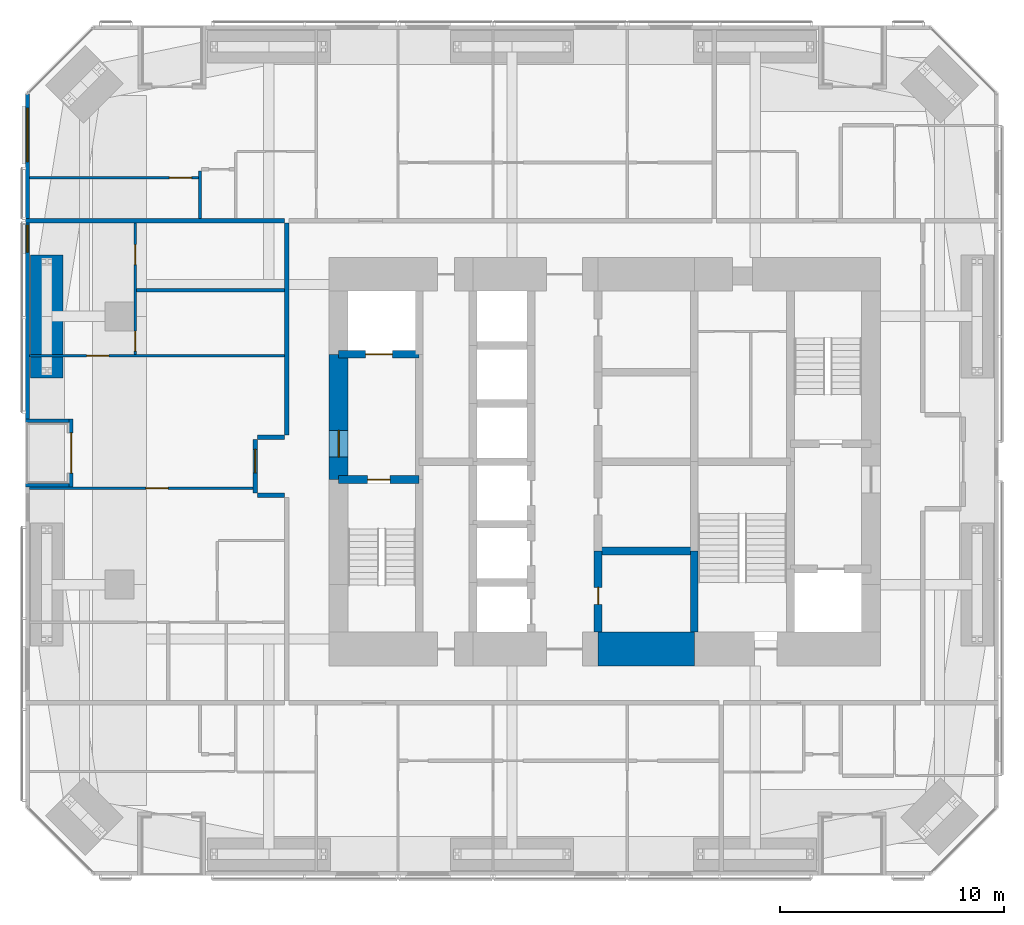
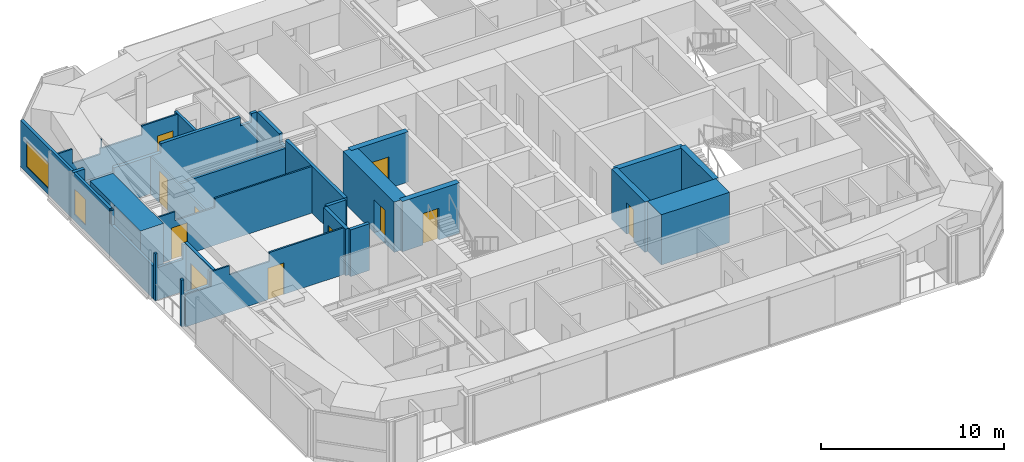
# One storey, part 18 of 23: 23 walls, 11 doors, 2 windows, 13 openings.
"""IFC4 building model written with IfcOpenShell, lengths in metres."""

from ifc_helpers import new_model, si_unit, direction, frame, frame_2d, origin, place, context, subcontext, project, spatial, polyline, rectangle, outline, extrude, material, layer, layer_set, constituent, constituent_set, type_object, element, fill, save


model = new_model("IFC4")

# Units and contexts
model_context = context("Model", 3, precision=1e-05, world=origin(), true_north=direction((0.0, 1.0)))
body_context = subcontext(model_context, "Body", "Model", "MODEL_VIEW")
ifc_project = project(units=[si_unit("LENGTHUNIT", "METRE"), si_unit("AREAUNIT", "SQUARE_METRE"), si_unit("VOLUMEUNIT", "CUBIC_METRE"), si_unit("PLANEANGLEUNIT", "RADIAN"), si_unit("MASSUNIT", "GRAM", prefix="KILO")], contexts=[model_context])

# Site, building, storey
site_placement = place(None, origin())
site = spatial("IfcSite", under=ifc_project, at=site_placement, CompositionType="ELEMENT")
building_placement = place(site_placement, origin())
building = spatial("IfcBuilding", under=site, at=building_placement, Name="Jalousie Tower", CompositionType="ELEMENT")
storey_placement = place(building_placement, frame((0.0, 0.0, 118.25)))
storey = spatial("IfcBuildingStorey", under=building, at=storey_placement, Name="L32", CompositionType="ELEMENT", Elevation=118.25)

# Walls
ifc_material_1 = material(Name="Concrete block ASTM C90", Category="concrete")
ifc_constituent_1 = constituent(ifc_material_1, Name="Body")
ifc_material_2 = material(Name="Render")
ifc_constituent_2 = constituent(ifc_material_2, Name="Finish")
ifc_constituent_set_1 = constituent_set(constituents=[ifc_constituent_1, ifc_constituent_2])
wall_type_1 = type_object("IfcWallType", Name="BATHROOM WALL 150", PredefinedType="PLUMBINGWALL", material=ifc_constituent_set_1)
wall_1_placement = place(storey_placement, frame((13.800048828125, 31.5, 0.0), z_axis=(0.0, 0.0, 1.0), x_axis=(0.0, -1.0, 0.0)))
element("IfcWall", 1, at=wall_1_placement, inside=storey, type_object=wall_type_1, Name="Bathroom Wall 150 L32", PredefinedType="PLUMBINGWALL", context=body_context, shape_type="SweptSolid", body=[
    extrude(rectangle(XDim=2.125, YDim=0.14990234375, at=frame_2d((1.0625, 0.0))), origin(), (0.0, 0.0, 1.0), 3.110107421875),
])
wall_2_placement = place(storey_placement, frame((10.949951171875, 26.166748046875, 0.0), z_axis=(0.0, 0.0, 1.0), x_axis=(1.0, 0.0, 0.0)))
element("IfcWall", 2, at=wall_2_placement, inside=storey, type_object=wall_type_1, Name="Bathroom Wall 150 L32", PredefinedType="PLUMBINGWALL", context=body_context, shape_type="SweptSolid", body=[
    extrude(outline(polyline([(0.0, 0.0), (6.625, 0.0), (6.625, 3.110107421875), (6.625, 2.541015625), (0.534912109375, 2.541015625), (0.534912109375, 2.510009765625), (0.0, 2.510009765625), (0.0, 3.110107421875), (0.0, 0.0)])), frame((0.0, 0.074951171875, 0.0), z_axis=(0.0, -1.0, 0.0), x_axis=(1.0, 0.0, 0.0)), (0.0, 0.0, 1.0), 0.14990234375),
])
ifc_material_3 = material(Name="Concrete f'c 120 MPa", Category="concrete")
ifc_layer_1 = layer(ifc_material_3, 1.5)
ifc_layer_set_1 = layer_set([ifc_layer_1], Name="Concrete f'c 120 MPa")
wall_type_2 = type_object("IfcWallType", Name="CORE WALL 1500", PredefinedType="SHEAR", material=ifc_layer_set_1)
wall_3_placement = place(storey_placement, frame((31.60009765625, 10.125, 0.0), z_axis=(0.0, 0.0, 1.0), x_axis=(1.0, 0.0, 0.0)))
element("IfcWall", 3, at=wall_3_placement, inside=storey, type_object=wall_type_2, Name="Core wall SC L32", PredefinedType="SHEAR", context=body_context, shape_type="SweptSolid", body=[
    extrude(rectangle(XDim=4.2998046875, YDim=1.5, at=frame_2d((2.14990234375, 0.0))), origin(), (0.0, 0.0, 1.0), 3.35009765625),
])

# Wall, opening, door
ifc_material_4 = material(Name="Concrete f'c 120 MPa", Category="concrete")
ifc_layer_2 = layer(ifc_material_4, 0.35009765625)
ifc_layer_set_2 = layer_set([ifc_layer_2], Name="Concrete f'c 120 MPa")
wall_type_3 = type_object("IfcWallType", Name="CORE WALL 350", PredefinedType="SHEAR", material=ifc_layer_set_2)
wall_4_placement = place(storey_placement, frame((31.60009765625, 10.875, 0.0), z_axis=(0.0, 0.0, 1.0), x_axis=(0.0, 1.0, 0.0)))
wall_4 = element("IfcWall", 4, at=wall_4_placement, inside=storey, type_object=wall_type_3, Name="Core wall X31.6A L32", PredefinedType="SHEAR", context=body_context, shape_type="SweptSolid", body=[
    extrude(rectangle(XDim=3.625, YDim=0.35009765625, at=frame_2d((1.8125, 0.0))), origin(), (0.0, 0.0, 1.0), 3.35009765625),
])
opening_1_placement = place(wall_4_placement, frame((1.25, 0.0, 0.0)))
opening_1 = element("IfcOpeningElement", 5, at=opening_1_placement, cuts=wall_4, Name="Opening D16", PredefinedType="OPENING", context=body_context, shape_type="SweptSolid", body=[
    extrude(rectangle(XDim=0.75, YDim=2.10009765625, at=frame_2d((0.375, 1.050048828125))), frame((0.0, 0.18505859375, 0.0), z_axis=(0.0, -1.0, 0.0), x_axis=(1.0, 0.0, 0.0)), (0.0, 0.0, 1.0), 0.3701171875),
])
ifc_material_5 = material(Name="Steel fire door", Category="steel")
door_type_1 = type_object("IfcDoorType", Name="RISER DOOR 750", OperationType="SINGLE_SWING_LEFT", PredefinedType="DOOR", material=ifc_material_5)
door_1_placement = place(opening_1_placement, frame((0.75, 0.0, 0.0), z_axis=(0.0, 0.0, 1.0), x_axis=(-1.0, 0.0, 0.0)))
door_1 = element("IfcDoor", 6, at=door_1_placement, inside=storey, type_object=door_type_1, Name="Refuse Room door", OperationType="SINGLE_SWING_RIGHT", OverallHeight=2.10009765625, OverallWidth=0.75, PredefinedType="DOOR", context=body_context, shape_type="SweptSolid", body=[
    extrude(rectangle(XDim=0.75, YDim=2.10009765625, at=frame_2d((0.375, 1.050048828125))), frame((0.0, 0.02490234375, 0.0), z_axis=(0.0, -1.0, 0.0), x_axis=(1.0, 0.0, 0.0)), (0.0, 0.0, 1.0), 0.050048828125),
])
fill(opening_1, door_1)

# Wall
wall_5_placement = place(storey_placement, frame((35.89990234375, 10.875, 0.0), z_axis=(0.0, 0.0, 1.0), x_axis=(0.0, 1.0, 0.0)))
element("IfcWall", 7, at=wall_5_placement, inside=storey, type_object=wall_type_3, Name="Core wall X35.9A L32", PredefinedType="SHEAR", context=body_context, shape_type="SweptSolid", body=[
    extrude(rectangle(XDim=3.625, YDim=0.35009765625, at=frame_2d((1.8125, 0.0))), origin(), (0.0, 0.0, 1.0), 3.35009765625),
])

# Wall, opening, door
wall_6_placement = place(storey_placement, frame((20.0, 17.699951171875, 0.0), z_axis=(0.0, 0.0, 1.0), x_axis=(1.0, 0.0, 0.0)))
wall_6 = element("IfcWall", 8, at=wall_6_placement, inside=storey, type_object=wall_type_3, Name="Core wall Y20-17.7 L32", PredefinedType="SHEAR", context=body_context, shape_type="SweptSolid", body=[
    extrude(rectangle(XDim=3.60009765625, YDim=0.35009765625, at=frame_2d((1.800048828125, 0.0))), origin(), (0.0, 0.0, 1.0), 3.35009765625),
])
opening_2_placement = place(wall_6_placement, frame((1.300048828125, 0.0, 0.0)))
opening_2 = element("IfcOpeningElement", 9, at=opening_2_placement, cuts=wall_6, Name="Opening D10", PredefinedType="OPENING", context=body_context, shape_type="SweptSolid", body=[
    extrude(rectangle(XDim=1.0, YDim=2.10009765625, at=frame_2d((0.5, 1.050048828125))), frame((0.0, 0.18505859375, 0.0), z_axis=(0.0, -1.0, 0.0), x_axis=(1.0, 0.0, 0.0)), (0.0, 0.0, 1.0), 0.3701171875),
])
ifc_material_6 = material(Name="Steel fire door", Category="steel")
door_type_2 = type_object("IfcDoorType", Name="STAIR DOOR 1000", OperationType="SINGLE_SWING_LEFT", PredefinedType="DOOR", material=ifc_material_6)
door_2_placement = place(opening_2_placement, frame((1.0, 0.0, 0.0), z_axis=(0.0, 0.0, 1.0), x_axis=(-1.0, 0.0, 0.0)))
door_2 = element("IfcDoor", 10, at=door_2_placement, inside=storey, type_object=door_type_2, Name="Exit stair A door", OperationType="SINGLE_SWING_RIGHT", OverallHeight=2.10009765625, OverallWidth=1.0, PredefinedType="DOOR", context=body_context, shape_type="SweptSolid", body=[
    extrude(rectangle(XDim=1.0, YDim=2.10009765625, at=frame_2d((0.5, 1.050048828125))), frame((0.0, 0.02490234375, 0.0), z_axis=(0.0, -1.0, 0.0), x_axis=(1.0, 0.0, 0.0)), (0.0, 0.0, 1.0), 0.050048828125),
])
fill(opening_2, door_2)

wall_7_placement = place(storey_placement, frame((20.0, 23.300048828125, 0.0), z_axis=(0.0, 0.0, 1.0), x_axis=(1.0, 0.0, 0.0)))
wall_7 = element("IfcWall", 11, at=wall_7_placement, inside=storey, type_object=wall_type_3, Name="Core wall Y20-23.3 L32", PredefinedType="SHEAR", context=body_context, shape_type="SweptSolid", body=[
    extrude(rectangle(XDim=3.60009765625, YDim=0.35009765625, at=frame_2d((1.800048828125, 0.0))), origin(), (0.0, 0.0, 1.0), 3.35009765625),
])
opening_3_placement = place(wall_7_placement, frame((1.199951171875, 0.0, 0.0)))
opening_3 = element("IfcOpeningElement", 12, at=opening_3_placement, cuts=wall_7, Name="Opening LD2", PredefinedType="OPENING", context=body_context, shape_type="SweptSolid", body=[
    extrude(rectangle(XDim=1.199951171875, YDim=2.10009765625, at=frame_2d((0.60009765625, 1.050048828125))), frame((0.0, 0.18505859375, 0.0), z_axis=(0.0, -1.0, 0.0), x_axis=(1.0, 0.0, 0.0)), (0.0, 0.0, 1.0), 0.3701171875),
])
ifc_material_7 = material(Name="Steel lift landing door", Category="steel")
door_type_3 = type_object("IfcDoorType", Name="LIFT LANDING DOOR 1200", OperationType="SLIDING_TO_LEFT", PredefinedType="DOOR", material=ifc_material_7)
door_3_placement = place(opening_3_placement, origin())
door_3 = element("IfcDoor", 13, at=door_3_placement, inside=storey, type_object=door_type_3, Name="Lift F1 landing door", OperationType="SLIDING_TO_LEFT", OverallHeight=2.10009765625, OverallWidth=1.199951171875, PredefinedType="DOOR", context=body_context, shape_type="SweptSolid", body=[
    extrude(rectangle(XDim=1.199951171875, YDim=2.10009765625, at=frame_2d((0.60009765625, 1.050048828125))), frame((0.0, 0.02490234375, 0.0), z_axis=(0.0, -1.0, 0.0), x_axis=(1.0, 0.0, 0.0)), (0.0, 0.0, 1.0), 0.050048828125),
])
fill(opening_3, door_3)

# Wall
wall_8_placement = place(storey_placement, frame((31.60009765625, 14.5, 0.0), z_axis=(0.0, 0.0, 1.0), x_axis=(1.0, 0.0, 0.0)))
element("IfcWall", 14, at=wall_8_placement, inside=storey, type_object=wall_type_3, Name="Core wall Y31.6-14.5 L32", PredefinedType="SHEAR", context=body_context, shape_type="SweptSolid", body=[
    extrude(rectangle(XDim=4.2998046875, YDim=0.35009765625, at=frame_2d((2.14990234375, 0.0))), origin(), (0.0, 0.0, 1.0), 3.35009765625),
])

# Wall, opening, door
ifc_material_8 = material(Name="Concrete f'c 120 MPa", Category="concrete")
ifc_layer_3 = layer(ifc_material_8, 0.85009765625)
ifc_layer_set_3 = layer_set([ifc_layer_3], Name="Concrete f'c 120 MPa")
wall_type_4 = type_object("IfcWallType", Name="CORE WALL 850", PredefinedType="SHEAR", material=ifc_layer_set_3)
wall_9_placement = place(storey_placement, frame((20.0, 23.300048828125, 0.0), z_axis=(0.0, 0.0, 1.0), x_axis=(0.0, -1.0, 0.0)))
wall_9 = element("IfcWall", 15, at=wall_9_placement, inside=storey, type_object=wall_type_4, Name="Core wall WB L32", PredefinedType="SHEAR", context=body_context, shape_type="SweptSolid", body=[
    extrude(rectangle(XDim=5.60009765625, YDim=0.85009765625, at=frame_2d((2.800048828125, 0.0))), origin(), (0.0, 0.0, 1.0), 3.35009765625),
])
opening_4_placement = place(wall_9_placement, frame((3.39990234375, 0.0, 0.0)))
opening_4 = element("IfcOpeningElement", 16, at=opening_4_placement, cuts=wall_9, Name="Opening D11", PredefinedType="OPENING", context=body_context, shape_type="SweptSolid", body=[
    extrude(rectangle(XDim=1.199951171875, YDim=2.199951171875, at=frame_2d((0.60009765625, 1.10009765625))), frame((0.0, 0.43505859375, 0.0), z_axis=(0.0, -1.0, 0.0), x_axis=(1.0, 0.0, 0.0)), (0.0, 0.0, 1.0), 0.8701171875),
])
ifc_material_9 = material(Name="Steel fire door", Category="steel")
door_type_4 = type_object("IfcDoorType", Name="FIRE DOOR 1200", OperationType="SINGLE_SWING_LEFT", PredefinedType="DOOR", material=ifc_material_9)
door_4_placement = place(opening_4_placement, origin())
door_4 = element("IfcDoor", 17, at=door_4_placement, inside=storey, type_object=door_type_4, Name="Fire-fighting lobby A door", OperationType="SINGLE_SWING_RIGHT", OverallHeight=2.199951171875, OverallWidth=1.199951171875, PredefinedType="DOOR", context=body_context, shape_type="SweptSolid", body=[
    extrude(rectangle(XDim=1.199951171875, YDim=2.199951171875, at=frame_2d((0.60009765625, 1.10009765625))), frame((0.0, 0.02490234375, 0.0), z_axis=(0.0, -1.0, 0.0), x_axis=(1.0, 0.0, 0.0)), (0.0, 0.0, 1.0), 0.050048828125),
])
fill(opening_4, door_4)

# Wall
ifc_material_10 = material(Name="Concrete block ASTM C90", Category="concrete")
ifc_constituent_3 = constituent(ifc_material_10, Name="Body")
ifc_material_11 = material(Name="Render")
ifc_constituent_4 = constituent(ifc_material_11, Name="Finish")
ifc_constituent_set_2 = constituent_set(constituents=[ifc_constituent_3, ifc_constituent_4])
wall_type_5 = type_object("IfcWallType", Name="CORRIDOR WALL 200", PredefinedType="PARTITIONING", material=ifc_constituent_set_2)
wall_10_placement = place(storey_placement, frame((17.675048828125, 19.699951171875, 0.0), z_axis=(0.0, 0.0, 1.0), x_axis=(0.0, 1.0, 0.0)))
element("IfcWall", 18, at=wall_10_placement, inside=storey, type_object=wall_type_5, Name="Corridor Wall 200 L32", PredefinedType="PARTITIONING", context=body_context, shape_type="SweptSolid", body=[
    extrude(outline(polyline([(0.0, 0.0), (9.47509765625, 0.0), (9.47509765625, 3.110107421875), (7.062255859375, 3.110107421875), (7.062255859375, 2.541015625), (6.3876953125, 2.541015625), (6.3876953125, 3.110107421875), (0.0, 3.110107421875), (0.0, 0.0)])), frame((0.0, 0.10009765625, 0.0), z_axis=(0.0, -1.0, 0.0), x_axis=(1.0, 0.0, 0.0)), (0.0, 0.0, 1.0), 0.199951171875),
])

# Wall, opening, door
wall_11_placement = place(storey_placement, frame((16.27490234375, 17.10009765625, 0.0), z_axis=(0.0, 0.0, 1.0), x_axis=(0.0, 1.0, 0.0)))
wall_11 = element("IfcWall", 19, at=wall_11_placement, inside=storey, type_object=wall_type_5, Name="Corridor Wall 200 L32", PredefinedType="PARTITIONING", context=body_context, shape_type="SweptSolid", body=[
    extrude(rectangle(XDim=2.39990234375, YDim=0.199951171875, at=frame_2d((1.199951171875, 0.0))), origin(), (0.0, 0.0, 1.0), 3.110107421875),
])
opening_5_placement = place(wall_11_placement, frame((0.89990234375, 0.0, 0.0)))
opening_5 = element("IfcOpeningElement", 20, at=opening_5_placement, cuts=wall_11, Name="Opening D1", PredefinedType="OPENING", context=body_context, shape_type="SweptSolid", body=[
    extrude(rectangle(XDim=1.050048828125, YDim=2.199951171875, at=frame_2d((0.52490234375, 1.10009765625))), frame((0.0, 0.10986328125, 0.0), z_axis=(0.0, -1.0, 0.0), x_axis=(1.0, 0.0, 0.0)), (0.0, 0.0, 1.0), 0.219970703125),
])
ifc_material_12 = material(Name="Timber fire door", Category="wood")
door_type_5 = type_object("IfcDoorType", Name="APARTMENT ENTRANCE DOOR 1050", OperationType="SINGLE_SWING_LEFT", PredefinedType="DOOR", material=ifc_material_12)
door_5_placement = place(opening_5_placement, origin())
door_5 = element("IfcDoor", 21, at=door_5_placement, inside=storey, type_object=door_type_5, Name="Apartment 3205 entrance", OperationType="SINGLE_SWING_LEFT", OverallHeight=2.199951171875, OverallWidth=1.050048828125, PredefinedType="DOOR", context=body_context, shape_type="SweptSolid", body=[
    extrude(rectangle(XDim=1.050048828125, YDim=2.199951171875, at=frame_2d((0.52490234375, 1.10009765625))), frame((0.0, 0.02490234375, 0.0), z_axis=(0.0, -1.0, 0.0), x_axis=(1.0, 0.0, 0.0)), (0.0, 0.0, 1.0), 0.050048828125),
])
fill(opening_5, door_5)

# Walls
for number, where, z_axis, x_axis, name in (
    (22, (17.574951171875, 17.0, 0.0), (0.0, 0.0, 1.0), (-1.0, 0.0, 0.0), "Corridor Wall 200 L32"),
    (23, (17.574951171875, 19.60009765625, 0.0), (0.0, 0.0, 1.0), (-1.0, 0.0, 0.0), "Corridor Wall 200 L32"),
):
    element("IfcWall", number, at=place(storey_placement, frame(where, z_axis=z_axis, x_axis=x_axis)), inside=storey, type_object=wall_type_5, Name=name, PredefinedType="PARTITIONING", context=body_context, shape_type="SweptSolid", body=[
        extrude(rectangle(XDim=1.199951171875, YDim=0.199951171875, at=frame_2d((0.60009765625, 0.0))), origin(), (0.0, 0.0, 1.0), 3.110107421875),
    ])

# Wall, openings, windows
ifc_material_13 = material(Name="Concrete f'c 40 MPa", Category="concrete")
ifc_constituent_5 = constituent(ifc_material_13, Name="Body")
ifc_material_14 = material(Name="Render, pastel sea green")
ifc_constituent_6 = constituent(ifc_material_14, Name="Finish")
ifc_constituent_set_3 = constituent_set(constituents=[ifc_constituent_5, ifc_constituent_6])
wall_type_6 = type_object("IfcWallType", Name="EXTERNAL WALL 175 SEA GREEN RENDER", PredefinedType="SOLIDWALL", material=ifc_constituent_set_3)
wall_12_placement = place(storey_placement, frame((6.08740234375, 34.94873046875, 0.0), z_axis=(0.0, 0.0, 1.0), x_axis=(0.0, -1.0, 0.0)))
wall_12 = element("IfcWall", 24, at=wall_12_placement, inside=storey, type_object=wall_type_6, Name="External Wall 175 Sea Green Render L32", PredefinedType="SOLIDWALL", context=body_context, shape_type="SweptSolid", body=[
    extrude(outline(polyline([(0.0, 0.0), (14.531982421875, 0.0), (14.531982421875, 2.14990234375), (9.94873046875, 2.14990234375), (9.94873046875, 3.110107421875), (9.822998046875, 3.110107421875), (9.822998046875, 2.14990234375), (9.72998046875, 2.14990234375), (9.72998046875, 3.110107421875), (0.0, 3.110107421875), (0.0, 0.0)])), frame((0.0, 0.08740234375, 0.0), z_axis=(0.0, -1.0, 0.0), x_axis=(1.0, 0.0, 0.0)), (0.0, 0.0, 1.0), 0.175048828125),
])
opening_6_placement = place(wall_12_placement, frame((0.636474609375, 0.0, 0.39990234375)))
opening_6 = element("IfcOpeningElement", 25, at=opening_6_placement, cuts=wall_12, Name="Opening W-LIV170", PredefinedType="OPENING", context=body_context, shape_type="SweptSolid", body=[
    extrude(rectangle(XDim=2.39990234375, YDim=1.699951171875, at=frame_2d((1.199951171875, 0.85009765625))), frame((0.0, 0.097412109375, 0.0), z_axis=(0.0, -1.0, 0.0), x_axis=(1.0, 0.0, 0.0)), (0.0, 0.0, 1.0), 0.195068359375),
])
opening_7_placement = place(wall_12_placement, frame((5.873779296875, 0.0, 0.39990234375)))
opening_7 = element("IfcOpeningElement", 26, at=opening_7_placement, cuts=wall_12, Name="Opening W-COR170", PredefinedType="OPENING", context=body_context, shape_type="SweptSolid", body=[
    extrude(rectangle(XDim=1.199951171875, YDim=1.699951171875, at=frame_2d((0.60009765625, 0.85009765625))), frame((0.0, 0.097412109375, 0.0), z_axis=(0.0, -1.0, 0.0), x_axis=(1.0, 0.0, 0.0)), (0.0, 0.0, 1.0), 0.195068359375),
])
ifc_material_15 = material(Name="Aluminium frame, impact-rated glazing", Category="aluminium")
window_type_1 = type_object("IfcWindowType", Name="WINDOW COR 1200x1700", PartitioningType="SINGLE_PANEL", PredefinedType="WINDOW", material=ifc_material_15)
window_1_placement = place(opening_7_placement, origin())
window_1 = element("IfcWindow", 27, at=window_1_placement, inside=storey, type_object=window_type_1, Name="Apartment 3205 bedroom 2 window", OverallHeight=1.699951171875, OverallWidth=1.199951171875, PartitioningType="SINGLE_PANEL", PredefinedType="WINDOW", context=body_context, shape_type="SweptSolid", body=[
    extrude(rectangle(XDim=1.199951171875, YDim=1.699951171875, at=frame_2d((0.60009765625, 0.85009765625))), frame((0.0, 0.030029296875, 0.0), z_axis=(0.0, -1.0, 0.0), x_axis=(1.0, 0.0, 0.0)), (0.0, 0.0, 1.0), 0.06005859375),
])
fill(opening_7, window_1)
ifc_material_16 = material(Name="Aluminium frame, impact-rated glazing", Category="aluminium")
window_type_2 = type_object("IfcWindowType", Name="WINDOW LIV 2400x1700", PartitioningType="DOUBLE_PANEL_VERTICAL", PredefinedType="WINDOW", material=ifc_material_16)
window_2_placement = place(opening_6_placement, origin())
window_2 = element("IfcWindow", 28, at=window_2_placement, inside=storey, type_object=window_type_2, Name="Apartment 3203 living and dining room window", OverallHeight=1.699951171875, OverallWidth=2.39990234375, PartitioningType="SINGLE_PANEL", PredefinedType="WINDOW", context=body_context, shape_type="SweptSolid", body=[
    extrude(rectangle(XDim=2.39990234375, YDim=1.699951171875, at=frame_2d((1.199951171875, 0.85009765625))), frame((0.0, 0.030029296875, 0.0), z_axis=(0.0, -1.0, 0.0), x_axis=(1.0, 0.0, 0.0)), (0.0, 0.0, 1.0), 0.06005859375),
])
fill(opening_6, window_2)

# Wall, opening, door
wall_13_placement = place(storey_placement, frame((8.03759765625, 20.416748046875, 0.0), z_axis=(0.0, 0.0, 1.0), x_axis=(0.0, -1.0, 0.0)))
wall_13 = element("IfcWall", 29, at=wall_13_placement, inside=storey, type_object=wall_type_6, Name="External Wall 175 Sea Green Render L32", PredefinedType="SOLIDWALL", context=body_context, shape_type="SweptSolid", body=[
    extrude(rectangle(XDim=3.058349609375, YDim=0.175048828125, at=frame_2d((1.529296875, 0.0))), origin(), (0.0, 0.0, 1.0), 3.110107421875),
])
opening_8_placement = place(wall_13_placement, frame((0.629150390625, 0.0, 0.0)))
opening_8 = element("IfcOpeningElement", 30, at=opening_8_placement, cuts=wall_13, Name="Opening D-BAL21", PredefinedType="OPENING", context=body_context, shape_type="SweptSolid", body=[
    extrude(rectangle(XDim=1.800048828125, YDim=2.10009765625, at=frame_2d((0.89990234375, 1.050048828125))), frame((0.0, 0.097412109375, 0.0), z_axis=(0.0, -1.0, 0.0), x_axis=(1.0, 0.0, 0.0)), (0.0, 0.0, 1.0), 0.195068359375),
])
ifc_material_17 = material(Name="Aluminium frame, impact-rated glazing", Category="aluminium")
door_type_6 = type_object("IfcDoorType", Name="BALCONY DOOR 1800x2100", OperationType="SLIDING_TO_LEFT", PredefinedType="DOOR", material=ifc_material_17)
door_6_placement = place(opening_8_placement, origin())
door_6 = element("IfcDoor", 31, at=door_6_placement, inside=storey, type_object=door_type_6, Name="Apartment 3205 living room loggia door", OperationType="SLIDING_TO_LEFT", OverallHeight=2.10009765625, OverallWidth=1.800048828125, PredefinedType="DOOR", context=body_context, shape_type="SweptSolid", body=[
    extrude(rectangle(XDim=1.800048828125, YDim=2.10009765625, at=frame_2d((0.89990234375, 1.050048828125))), frame((0.0, 0.02490234375, 0.0), z_axis=(0.0, -1.0, 0.0), x_axis=(1.0, 0.0, 0.0)), (0.0, 0.0, 1.0), 0.050048828125),
])
fill(opening_8, door_6)

# Walls
for number, where, z_axis, x_axis, name in (
    (32, (6.0, 20.3291015625, 0.0), (0.0, 0.0, 1.0), (1.0, 0.0, 0.0), "External Wall 175 Sea Green Render L32"),
    (33, (6.0, 17.44580078125, 0.0), (0.0, 0.0, 1.0), (1.0, 0.0, 0.0), "External Wall 175 Sea Green Render L32"),
):
    element("IfcWall", number, at=place(storey_placement, frame(where, z_axis=z_axis, x_axis=x_axis)), inside=storey, type_object=wall_type_6, Name=name, PredefinedType="SOLIDWALL", context=body_context, shape_type="SweptSolid", body=[
        extrude(outline(polyline([(0.0, 0.0), (1.949951171875, 0.0), (1.949951171875, 3.110107421875), (1.75, 3.110107421875), (1.75, 2.14990234375), (0.14990234375, 2.14990234375), (0.14990234375, 3.110107421875), (0.0, 3.110107421875), (0.0, 0.0)])), frame((0.0, 0.08740234375, 0.0), z_axis=(0.0, -1.0, 0.0), x_axis=(1.0, 0.0, 0.0)), (0.0, 0.0, 1.0), 0.175048828125),
    ])

# Wall, opening, door
ifc_material_18 = material(Name="Gypsum board", Category="gypsum")
ifc_constituent_7 = constituent(ifc_material_18, Name="Body")
ifc_material_19 = material(Name="Light-gauge steel studs ASTM A653 SS Grade 33", Category="steel")
ifc_constituent_8 = constituent(ifc_material_19, Name="Framing")
ifc_constituent_set_4 = constituent_set(constituents=[ifc_constituent_7, ifc_constituent_8])
wall_type_7 = type_object("IfcWallType", Name="PARTITION 100", PredefinedType="PARTITIONING", material=ifc_constituent_set_4)
wall_14_placement = place(storey_placement, frame((6.175048828125, 31.199951171875, 0.0), z_axis=(0.0, 0.0, 1.0), x_axis=(1.0, 0.0, 0.0)))
wall_14 = element("IfcWall", 34, at=wall_14_placement, inside=storey, type_object=wall_type_7, Name="Partition 100 L32", PredefinedType="PARTITIONING", context=body_context, shape_type="SweptSolid", body=[
    extrude(outline(polyline([(0.0, 0.0), (7.550048828125, 0.0), (7.550048828125, 3.110107421875), (5.284912109375, 3.110107421875), (5.284912109375, 2.510009765625), (2.764892578125, 2.510009765625), (2.764892578125, 3.110107421875), (2.74365234375, 3.110107421875), (2.74365234375, 2.541015625), (2.651611328125, 2.541015625), (2.651611328125, 2.14990234375), (0.9091796875, 2.14990234375), (0.9091796875, 3.110107421875), (0.0, 3.110107421875), (0.0, 0.0)])), frame((0.0, 0.050048828125, 0.0), z_axis=(0.0, -1.0, 0.0), x_axis=(1.0, 0.0, 0.0)), (0.0, 0.0, 1.0), 0.10009765625),
])
opening_9_placement = place(wall_14_placement, frame((6.25, 0.0, 0.0)))
opening_9 = element("IfcOpeningElement", 35, at=opening_9_placement, cuts=wall_14, Name="Opening D6", PredefinedType="OPENING", context=body_context, shape_type="SweptSolid", body=[
    extrude(rectangle(XDim=1.0, YDim=2.10009765625, at=frame_2d((0.5, 1.050048828125))), frame((0.0, 0.06005859375, 0.0), z_axis=(0.0, -1.0, 0.0), x_axis=(1.0, 0.0, 0.0)), (0.0, 0.0, 1.0), 0.1201171875),
])
ifc_material_20 = material(Name="Timber door", Category="wood")
door_type_7 = type_object("IfcDoorType", Name="INTERNAL DOOR 1000", OperationType="SINGLE_SWING_LEFT", PredefinedType="DOOR", material=ifc_material_20)
door_7_placement = place(opening_9_placement, origin())
door_7 = element("IfcDoor", 36, at=door_7_placement, inside=storey, type_object=door_type_7, Name="Apartment 3203 hall door", OperationType="SINGLE_SWING_RIGHT", OverallHeight=2.10009765625, OverallWidth=1.0, PredefinedType="DOOR", context=body_context, shape_type="SweptSolid", body=[
    extrude(rectangle(XDim=1.0, YDim=2.10009765625, at=frame_2d((0.5, 1.050048828125))), frame((0.0, 0.02490234375, 0.0), z_axis=(0.0, -1.0, 0.0), x_axis=(1.0, 0.0, 0.0)), (0.0, 0.0, 1.0), 0.050048828125),
])
fill(opening_9, door_7)

wall_15_placement = place(storey_placement, frame((6.175048828125, 17.308349609375, 0.0), z_axis=(0.0, 0.0, 1.0), x_axis=(1.0, 0.0, 0.0)))
wall_15 = element("IfcWall", 37, at=wall_15_placement, inside=storey, type_object=wall_type_7, Name="Partition 100 L32", PredefinedType="PARTITIONING", context=body_context, shape_type="SweptSolid", body=[
    extrude(outline(polyline([(0.0, 0.0), (10.0, 0.0), (10.0, 3.110107421875), (5.284912109375, 3.110107421875), (5.284912109375, 2.510009765625), (2.764892578125, 2.510009765625), (2.764892578125, 3.110107421875), (1.635009765625, 3.110107421875), (1.635009765625, 2.14990234375), (0.0, 2.14990234375), (0.0, 3.110107421875), (0.0, 0.0)])), frame((0.0, 0.050048828125, 0.0), z_axis=(0.0, -1.0, 0.0), x_axis=(1.0, 0.0, 0.0)), (0.0, 0.0, 1.0), 0.10009765625),
])
opening_10_placement = place(wall_15_placement, frame((5.199951171875, 0.0, 0.0)))
opening_10 = element("IfcOpeningElement", 38, at=opening_10_placement, cuts=wall_15, Name="Opening D6", PredefinedType="OPENING", context=body_context, shape_type="SweptSolid", body=[
    extrude(rectangle(XDim=1.0, YDim=2.10009765625, at=frame_2d((0.5, 1.050048828125))), frame((0.0, 0.06005859375, 0.0), z_axis=(0.0, -1.0, 0.0), x_axis=(1.0, 0.0, 0.0)), (0.0, 0.0, 1.0), 0.1201171875),
])
door_8_placement = place(opening_10_placement, frame((1.0, 0.0, 0.0), z_axis=(0.0, 0.0, 1.0), x_axis=(-1.0, 0.0, 0.0)))
door_8 = element("IfcDoor", 39, at=door_8_placement, inside=storey, type_object=door_type_7, Name="Apartment 3205 dining room door", OperationType="SINGLE_SWING_LEFT", OverallHeight=2.10009765625, OverallWidth=1.0, PredefinedType="DOOR", context=body_context, shape_type="SweptSolid", body=[
    extrude(rectangle(XDim=1.0, YDim=2.10009765625, at=frame_2d((0.5, 1.050048828125))), frame((0.0, 0.02490234375, 0.0), z_axis=(0.0, -1.0, 0.0), x_axis=(1.0, 0.0, 0.0)), (0.0, 0.0, 1.0), 0.050048828125),
])
fill(opening_10, door_8)

wall_16_placement = place(storey_placement, frame((6.175048828125, 23.24169921875, 0.0), z_axis=(0.0, 0.0, 1.0), x_axis=(1.0, 0.0, 0.0)))
wall_16 = element("IfcWall", 40, at=wall_16_placement, inside=storey, type_object=wall_type_7, Name="Partition 100 L32", PredefinedType="PARTITIONING", context=body_context, shape_type="SweptSolid", body=[
    extrude(outline(polyline([(0.52880859375, 2.14990234375), (0.0, 2.14990234375), (0.0, 0.0), (0.52880859375, 0.0), (0.52880859375, 0.267822265625), (1.021240234375, 0.267822265625), (1.021240234375, 0.0), (11.39990234375, 0.0), (11.39990234375, 3.110107421875), (5.284912109375, 3.110107421875), (5.284912109375, 2.510009765625), (2.764892578125, 2.510009765625), (2.764892578125, 3.110107421875), (1.635009765625, 3.110107421875), (1.635009765625, 2.14990234375), (1.021240234375, 2.14990234375), (1.021240234375, 1.882080078125), (0.52880859375, 1.882080078125), (0.52880859375, 2.14990234375)])), frame((0.0, 0.050048828125, 0.0), z_axis=(0.0, -1.0, 0.0), x_axis=(1.0, 0.0, 0.0)), (0.0, 0.0, 1.0), 0.10009765625),
])
opening_11_placement = place(wall_16_placement, frame((2.550048828125, 0.0, 0.0)))
opening_11 = element("IfcOpeningElement", 41, at=opening_11_placement, cuts=wall_16, Name="Opening D6", PredefinedType="OPENING", context=body_context, shape_type="SweptSolid", body=[
    extrude(rectangle(XDim=1.0, YDim=2.10009765625, at=frame_2d((0.5, 1.050048828125))), frame((0.0, 0.06005859375, 0.0), z_axis=(0.0, -1.0, 0.0), x_axis=(1.0, 0.0, 0.0)), (0.0, 0.0, 1.0), 0.1201171875),
])
door_9_placement = place(opening_11_placement, origin())
door_9 = element("IfcDoor", 42, at=door_9_placement, inside=storey, type_object=door_type_7, Name="Apartment 3205 bedroom 2 door", OperationType="SINGLE_SWING_LEFT", OverallHeight=2.10009765625, OverallWidth=1.0, PredefinedType="DOOR", context=body_context, shape_type="SweptSolid", body=[
    extrude(rectangle(XDim=1.0, YDim=2.10009765625, at=frame_2d((0.5, 1.050048828125))), frame((0.0, 0.02490234375, 0.0), z_axis=(0.0, -1.0, 0.0), x_axis=(1.0, 0.0, 0.0)), (0.0, 0.0, 1.0), 0.050048828125),
])
fill(opening_11, door_9)

# Wall, openings, doors
wall_17_placement = place(storey_placement, frame((10.89990234375, 23.291748046875, 0.0), z_axis=(0.0, 0.0, 1.0), x_axis=(0.0, 1.0, 0.0)))
wall_17 = element("IfcWall", 43, at=wall_17_placement, inside=storey, type_object=wall_type_7, Name="Partition 100 L32", PredefinedType="PARTITIONING", context=body_context, shape_type="SweptSolid", body=[
    extrude(outline(polyline([(0.0, 0.0), (5.88330078125, 0.0), (5.88330078125, 3.110107421875), (5.88330078125, 2.510009765625), (1.768310546875, 2.510009765625), (0.0, 2.510009765625), (0.0, 3.110107421875), (0.0, 0.0)])), frame((0.0, 0.050048828125, 0.0), z_axis=(0.0, -1.0, 0.0), x_axis=(1.0, 0.0, 0.0)), (0.0, 0.0, 1.0), 0.10009765625),
])
opening_12_placement = place(wall_17_placement, frame((0.14990234375, 0.0, 0.0)))
opening_12 = element("IfcOpeningElement", 44, at=opening_12_placement, cuts=wall_17, Name="Opening D7", PredefinedType="OPENING", context=body_context, shape_type="SweptSolid", body=[
    extrude(rectangle(XDim=0.89990234375, YDim=2.10009765625, at=frame_2d((0.449951171875, 1.050048828125))), frame((0.0, 0.06005859375, 0.0), z_axis=(0.0, -1.0, 0.0), x_axis=(1.0, 0.0, 0.0)), (0.0, 0.0, 1.0), 0.1201171875),
])
opening_13_placement = place(wall_17_placement, frame((4.0166015625, 0.0, 0.0)))
opening_13 = element("IfcOpeningElement", 45, at=opening_13_placement, cuts=wall_17, Name="Opening D7", PredefinedType="OPENING", context=body_context, shape_type="SweptSolid", body=[
    extrude(rectangle(XDim=0.89990234375, YDim=2.10009765625, at=frame_2d((0.449951171875, 1.050048828125))), frame((0.0, 0.06005859375, 0.0), z_axis=(0.0, -1.0, 0.0), x_axis=(1.0, 0.0, 0.0)), (0.0, 0.0, 1.0), 0.1201171875),
])
ifc_material_21 = material(Name="Timber door", Category="wood")
door_type_8 = type_object("IfcDoorType", Name="INTERNAL DOOR 900", OperationType="SINGLE_SWING_LEFT", PredefinedType="DOOR", material=ifc_material_21)
door_10_placement = place(opening_12_placement, frame((0.89990234375, 0.0, 0.0), z_axis=(0.0, 0.0, 1.0), x_axis=(-1.0, 0.0, 0.0)))
door_10 = element("IfcDoor", 46, at=door_10_placement, inside=storey, type_object=door_type_8, Name="Apartment 3205 bedroom 2 bathroom door", OperationType="SINGLE_SWING_RIGHT", OverallHeight=2.10009765625, OverallWidth=0.89990234375, PredefinedType="DOOR", context=body_context, shape_type="SweptSolid", body=[
    extrude(rectangle(XDim=0.89990234375, YDim=2.10009765625, at=frame_2d((0.449951171875, 1.050048828125))), frame((0.0, 0.02490234375, 0.0), z_axis=(0.0, -1.0, 0.0), x_axis=(1.0, 0.0, 0.0)), (0.0, 0.0, 1.0), 0.050048828125),
])
fill(opening_12, door_10)
door_11_placement = place(opening_13_placement, frame((0.89990234375, 0.0, 0.0), z_axis=(0.0, 0.0, 1.0), x_axis=(-1.0, 0.0, 0.0)))
door_11 = element("IfcDoor", 47, at=door_11_placement, inside=storey, type_object=door_type_8, Name="Apartment 3205 bedroom 2 dressing room door", OperationType="SINGLE_SWING_LEFT", OverallHeight=2.10009765625, OverallWidth=0.89990234375, PredefinedType="DOOR", context=body_context, shape_type="SweptSolid", body=[
    extrude(rectangle(XDim=0.89990234375, YDim=2.10009765625, at=frame_2d((0.449951171875, 1.050048828125))), frame((0.0, 0.02490234375, 0.0), z_axis=(0.0, -1.0, 0.0), x_axis=(1.0, 0.0, 0.0)), (0.0, 0.0, 1.0), 0.050048828125),
])
fill(opening_13, door_11)

# Walls
ifc_material_22 = material(Name="Concrete block ASTM C90", Category="concrete")
ifc_constituent_9 = constituent(ifc_material_22, Name="Body")
ifc_material_23 = material(Name="Render")
ifc_constituent_10 = constituent(ifc_material_23, Name="Finish")
ifc_constituent_set_5 = constituent_set(constituents=[ifc_constituent_9, ifc_constituent_10])
wall_type_8 = type_object("IfcWallType", Name="PARTY WALL 200", PredefinedType="PARTITIONING", material=ifc_constituent_set_5)
wall_18_placement = place(storey_placement, frame((6.0, 29.27490234375, 0.0), z_axis=(0.0, 0.0, 1.0), x_axis=(1.0, 0.0, 0.0)))
element("IfcWall", 48, at=wall_18_placement, inside=storey, type_object=wall_type_8, Name="Party Wall 200 L32", PredefinedType="PARTITIONING", context=body_context, shape_type="SweptSolid", body=[
    extrude(outline(polyline([(0.0, 0.0), (11.574951171875, 0.0), (11.574951171875, 3.110107421875), (11.21240234375, 3.110107421875), (11.21240234375, 2.541015625), (10.53759765625, 2.541015625), (10.53759765625, 3.110107421875), (5.510009765625, 3.110107421875), (5.510009765625, 2.510009765625), (2.96875, 2.510009765625), (2.96875, 2.541015625), (2.565185546875, 2.541015625), (2.565185546875, 2.14990234375), (0.721435546875, 2.14990234375), (0.721435546875, 3.110107421875), (0.0, 3.110107421875), (0.0, 0.0)])), frame((0.0, 0.10009765625, 0.0), z_axis=(0.0, -1.0, 0.0), x_axis=(1.0, 0.0, 0.0)), (0.0, 0.0, 1.0), 0.199951171875),
])
ifc_material_24 = material(Name="Concrete f'c 120 MPa", Category="concrete")
ifc_layer_4 = layer(ifc_material_24, 1.449951171875)
ifc_layer_set_4 = layer_set([ifc_layer_4], Name="Concrete f'c 120 MPa")
wall_type_9 = type_object("IfcWallType", Name="RC WALL PIER 1450", PredefinedType="SHEAR", material=ifc_layer_set_4)
wall_19_placement = place(storey_placement, frame((6.949951171875, 22.25, 0.0), z_axis=(0.0, 0.0, 1.0), x_axis=(0.0, 1.0, 0.0)))
element("IfcWall", 49, at=wall_19_placement, inside=storey, type_object=wall_type_9, Name="Wall pier 13 L32", PredefinedType="SHEAR", context=body_context, shape_type="SweptSolid", body=[
    extrude(rectangle(XDim=5.5, YDim=1.449951171875, at=frame_2d((2.75, 0.0))), origin(), (0.0, 0.0, 1.0), 3.35009765625),
])

save(model, "model.ifc")
